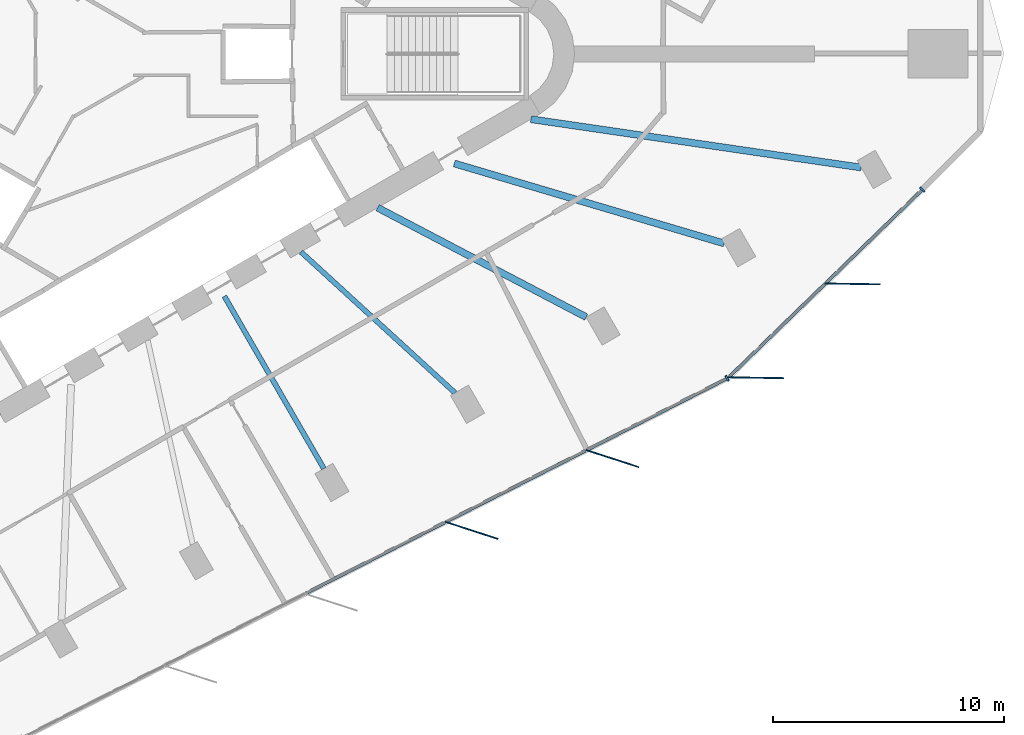
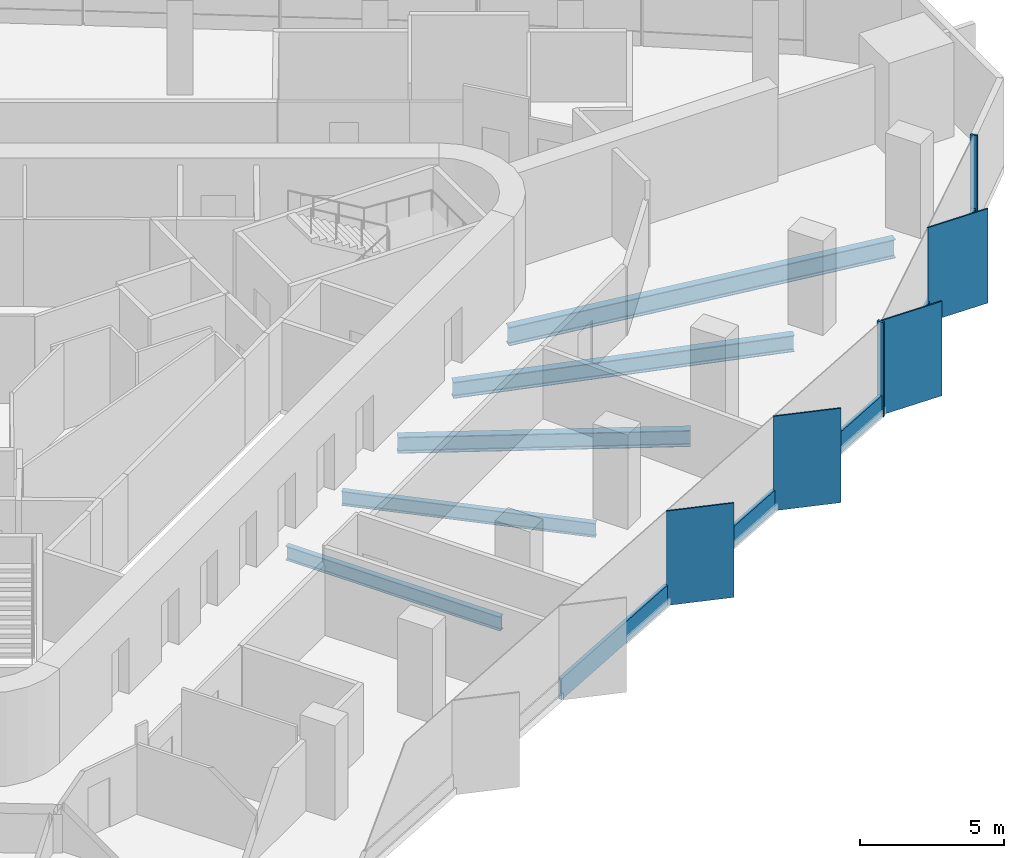
# One storey, part 3 of 14: 11 members, 5 beams, 2 elements without a shape of their own.
"""IFC4 building model written with IfcOpenShell, lengths in metres."""

from ifc_helpers import new_model, si_unit, direction, frame, origin, origin_2d, place, context, subcontext, project, spatial, rectangle, i_section, extrude, material, material_profile, profile_set, type_object, element, aggregate, save


model = new_model("IFC4")

# Units and contexts
model_context = context("Model", 3, precision=1e-05, world=origin(), true_north=direction((0.0, 1.0)))
body_context = subcontext(model_context, "Body", "Model", "MODEL_VIEW")
ifc_project = project(units=[si_unit("LENGTHUNIT", "METRE"), si_unit("AREAUNIT", "SQUARE_METRE"), si_unit("VOLUMEUNIT", "CUBIC_METRE"), si_unit("PLANEANGLEUNIT", "RADIAN"), si_unit("MASSUNIT", "GRAM", prefix="KILO")], contexts=[model_context])

# Site, building, storey
site_placement = place(None, origin())
site = spatial("IfcSite", under=ifc_project, at=site_placement, CompositionType="ELEMENT")
building_placement = place(site_placement, origin())
building = spatial("IfcBuilding", under=site, at=building_placement, Name="Tanit Gate Tower", CompositionType="ELEMENT")
storey_placement = place(building_placement, frame((0.0, 0.0, 261.199951171875)))
storey = spatial("IfcBuildingStorey", under=building, at=storey_placement, Name="L59", CompositionType="ELEMENT", Elevation=261.199951171875)

# Curtain wall, members
ifc_material_1 = material(Name="Aluminium bronze anodised and glass", Category="aluminium")
curtain_wall_type = type_object("IfcCurtainWallType", Name="Curtain wall typical mid", PredefinedType="NOTDEFINED", material=ifc_material_1)
curtain_wall_1_placement = place(storey_placement, origin())
curtain_wall_1 = element("IfcCurtainWall", 1, at=curtain_wall_1_placement, inside=storey, type_object=curtain_wall_type, Name="Curtain wall L59 SE2", PredefinedType="NOTDEFINED")
ifc_material_2 = material(Name="Aluminium bronze anodised", Category="aluminium")
ifc_material_profile_1 = material_profile(ifc_material_2, rectangle(XDim=2.39990234375, YDim=0.055908203125, at=origin_2d()), Name="56x2400 bronze fin mullion")
ifc_profile_set_1 = profile_set([ifc_material_profile_1], Name="Aluminium bronze anodised")
member_type_1 = type_object("IfcMemberType", Name="FIN MULLION 56x2400 bronze", PredefinedType="MULLION", material=ifc_profile_set_1)
member_1_placement = place(storey_placement, frame((16.746337890625, -20.606689453125, -0.300048828125), z_axis=(0.0, 0.0, 1.0), x_axis=(-0.951202192353, 0.308568289465, 0.0)))
member_1 = element("IfcMember", 2, at=member_1_placement, type_object=member_type_1, Name="Fin mullion L59 SE2.4", PredefinedType="MULLION", context=body_context, shape_type="SweptSolid", body=[
    extrude(rectangle(XDim=2.39990234375, YDim=0.055908203125, at=origin_2d()), origin(), (0.0, 0.0, 1.0), 4.0),
])
member_2_placement = place(storey_placement, frame((22.83251953125, -17.501953125, -0.300048828125), z_axis=(0.0, 0.0, 1.0), x_axis=(-0.951202192353, 0.308568289465, 0.0)))
member_2 = element("IfcMember", 3, at=member_2_placement, type_object=member_type_1, Name="Fin mullion L59 SE2.5", PredefinedType="MULLION", context=body_context, shape_type="SweptSolid", body=[
    extrude(rectangle(XDim=2.39990234375, YDim=0.055908203125, at=origin_2d()), origin(), (0.0, 0.0, 1.0), 4.0),
])

curtain_wall_2_placement = place(storey_placement, origin())
curtain_wall_2 = element("IfcCurtainWall", 4, at=curtain_wall_2_placement, inside=storey, type_object=curtain_wall_type, Name="Curtain wall L59 SE3", PredefinedType="NOTDEFINED")
member_3_placement = place(storey_placement, frame((29.040771484375, -14.005615234375, -0.300048828125), z_axis=(0.0, 0.0, 1.0), x_axis=(-0.999880119672, 0.015483742592, 0.0)))
member_3 = element("IfcMember", 5, at=member_3_placement, type_object=member_type_1, Name="Fin mullion L59 SE3.1", PredefinedType="MULLION", context=body_context, shape_type="SweptSolid", body=[
    extrude(rectangle(XDim=2.39990234375, YDim=0.055908203125, at=origin_2d()), origin(), (0.0, 0.0, 1.0), 4.0),
])
member_4_placement = place(storey_placement, frame((33.22705078125, -9.947021484375, -0.300048828125), z_axis=(0.0, 0.0, 1.0), x_axis=(-0.999880119672, 0.015483742592, 0.0)))
member_4 = element("IfcMember", 6, at=member_4_placement, type_object=member_type_1, Name="Fin mullion L59 SE3.2", PredefinedType="MULLION", context=body_context, shape_type="SweptSolid", body=[
    extrude(rectangle(XDim=2.39990234375, YDim=0.055908203125, at=origin_2d()), origin(), (0.0, 0.0, 1.0), 4.0),
])

# Member
ifc_material_3 = material(Name="Aluminium bronze anodised", Category="aluminium")
ifc_material_profile_2 = material_profile(ifc_material_3, rectangle(XDim=0.260009765625, YDim=0.080078125, at=origin_2d()), Name="80x260 bronze mullion")
ifc_profile_set_2 = profile_set([ifc_material_profile_2], Name="Aluminium bronze anodised")
member_type_2 = type_object("IfcMemberType", Name="Mullion 80x260 typical mid", PredefinedType="MULLION", material=ifc_profile_set_2)
member_5_placement = place(storey_placement, frame((27.797607421875, -14.033447265625, -0.300048828125), z_axis=(0.0, 0.0, 1.0), x_axis=(-0.454410790552, 0.890792250432, 0.0)))
member_5 = element("IfcMember", 7, at=member_5_placement, type_object=member_type_2, Name="Mullion L59 SE2.6", PredefinedType="MULLION", context=body_context, shape_type="SweptSolid", body=[
    extrude(rectangle(XDim=0.260009765625, YDim=0.080078125, at=origin_2d()), origin(), (0.0, 0.0, 1.0), 4.0),
])

member_6_placement = place(storey_placement, frame((36.23486328125, -5.8701171875, -0.300048828125), z_axis=(0.0, 0.0, 1.0), x_axis=(-0.696073353609, 0.717970672378, 0.0)))
member_6 = element("IfcMember", 8, at=member_6_placement, type_object=member_type_2, Name="Mullion L59 SE3.3", PredefinedType="MULLION", context=body_context, shape_type="SweptSolid", body=[
    extrude(rectangle(XDim=0.260009765625, YDim=0.080078125, at=origin_2d()), origin(), (0.0, 0.0, 1.0), 4.0),
])

# Beams
ifc_material_4 = material(Name="Steel S355", Category="steel")
ifc_material_profile_3 = material_profile(ifc_material_4, i_section(OverallWidth=0.300048828125, OverallDepth=0.68994140625, WebThickness=0.014404296875, FlangeThickness=0.027099609375, FilletRadius=0.027099609375, at=origin_2d()), Name="HEA 700")
ifc_profile_set_3 = profile_set([ifc_material_profile_3], Name="Steel S355")
beam_type_1 = type_object("IfcBeamType", Name="RADIAL GIRDER HEA 700 S355", PredefinedType="BEAM", material=ifc_profile_set_3)
beam_1_placement = place(storey_placement, frame((21.697998046875, -11.383544921875, -0.64501953125), z_axis=(-0.885529600193, 0.464582960495, 0.0), x_axis=(-0.464582960495, -0.885529600193, 0.0)))
element("IfcBeam", 9, at=beam_1_placement, inside=storey, type_object=beam_type_1, Name="RADIAL GIRDER", PredefinedType="BEAM", context=body_context, shape_type="SweptSolid", body=[
    extrude(i_section(OverallWidth=0.300048828125, OverallDepth=0.68994140625, WebThickness=0.014404296875, FlangeThickness=0.027099609375, FilletRadius=0.027099609375, at=origin_2d()), origin(), (0.0, 0.0, 1.0), 10.1826171875),
])
beam_2_placement = place(storey_placement, frame((27.66845703125, -8.197021484375, -0.64501953125), z_axis=(-0.958810250553, 0.284047361252, 0.0), x_axis=(-0.284047361252, -0.958810250553, 0.0)))
element("IfcBeam", 10, at=beam_2_placement, inside=storey, type_object=beam_type_1, Name="RADIAL GIRDER", PredefinedType="BEAM", context=body_context, shape_type="SweptSolid", body=[
    extrude(i_section(OverallWidth=0.300048828125, OverallDepth=0.68994140625, WebThickness=0.014404296875, FlangeThickness=0.027099609375, FilletRadius=0.027099609375, at=origin_2d()), origin(), (0.0, 0.0, 1.0), 12.174072265625),
])
ifc_material_5 = material(Name="Steel S355", Category="steel")
ifc_material_profile_4 = material_profile(ifc_material_5, i_section(OverallWidth=0.300048828125, OverallDepth=0.7900390625, WebThickness=0.014892578125, FlangeThickness=0.028076171875, FilletRadius=0.030029296875, at=origin_2d()), Name="HEA 800")
ifc_profile_set_4 = profile_set([ifc_material_profile_4], Name="Steel S355")
beam_type_2 = type_object("IfcBeamType", Name="RADIAL GIRDER HEA 800 S355", PredefinedType="BEAM", material=ifc_profile_set_4)
beam_3_placement = place(storey_placement, frame((33.59130859375, -4.914306640625, -0.695068359375), z_axis=(-0.989468215533, 0.144750303802, 0.0), x_axis=(-0.144750303802, -0.989468215533, 0.0)))
element("IfcBeam", 11, at=beam_3_placement, inside=storey, type_object=beam_type_2, Name="RADIAL GIRDER", PredefinedType="BEAM", context=body_context, shape_type="SweptSolid", body=[
    extrude(i_section(OverallWidth=0.300048828125, OverallDepth=0.7900390625, WebThickness=0.014892578125, FlangeThickness=0.028076171875, FilletRadius=0.030029296875, at=origin_2d()), origin(), (0.0, 0.0, 1.0), 14.4326171875),
])
ifc_material_6 = material(Name="Steel S355", Category="steel")
ifc_material_profile_5 = material_profile(ifc_material_6, i_section(OverallWidth=0.219970703125, OverallDepth=0.60009765625, WebThickness=0.011962890625, FlangeThickness=0.01904296875, FilletRadius=0.02392578125, at=origin_2d()), Name="IPE 600")
ifc_profile_set_5 = profile_set([ifc_material_profile_5], Name="Steel S355")
beam_type_3 = type_object("IfcBeamType", Name="RADIAL GIRDER IPE 600 S355", PredefinedType="BEAM", material=ifc_profile_set_5)
beam_4_placement = place(storey_placement, frame((10.353759765625, -17.93310546875, -0.599853515625), z_axis=(-0.500008150211, 0.866020698207, 0.0), x_axis=(-0.866020698207, -0.500008150211, 0.0)))
element("IfcBeam", 12, at=beam_4_placement, inside=storey, type_object=beam_type_3, Name="RADIAL GIRDER", PredefinedType="BEAM", context=body_context, shape_type="SweptSolid", body=[
    extrude(i_section(OverallWidth=0.219970703125, OverallDepth=0.60009765625, WebThickness=0.011962890625, FlangeThickness=0.01904296875, FilletRadius=0.02392578125, at=origin_2d()), origin(), (0.0, 0.0, 1.0), 8.605224609375),
])
beam_5_placement = place(storey_placement, frame((16.02587890625, -14.658203125, -0.599853515625), z_axis=(-0.737904866166, 0.674904740307, 0.0), x_axis=(-0.674904740307, -0.737904866166, 0.0)))
element("IfcBeam", 13, at=beam_5_placement, inside=storey, type_object=beam_type_3, Name="RADIAL GIRDER", PredefinedType="BEAM", context=body_context, shape_type="SweptSolid", body=[
    extrude(i_section(OverallWidth=0.219970703125, OverallDepth=0.60009765625, WebThickness=0.011962890625, FlangeThickness=0.01904296875, FilletRadius=0.02392578125, at=origin_2d()), origin(), (0.0, 0.0, 1.0), 9.025390625),
])

# Member
ifc_material_7 = material(Name="Aluminium bronze anodised", Category="aluminium")
ifc_material_profile_6 = material_profile(ifc_material_7, rectangle(XDim=0.139892578125, YDim=0.89990234375, at=origin_2d()), Name="140x900 bronze transom")
ifc_profile_set_6 = profile_set([ifc_material_profile_6], Name="Aluminium bronze anodised")
member_type_3 = type_object("IfcMemberType", Name="Transom 140x900 typical mid", PredefinedType="USERDEFINED", material=ifc_profile_set_6)
member_7_placement = place(storey_placement, frame((9.57421875, -23.32958984375, 0.150146484375), z_axis=(0.890782479191, 0.454429944839, 0.0), x_axis=(-0.454429944839, 0.890782479191, 0.0)))
member_7 = element("IfcMember", 14, at=member_7_placement, type_object=member_type_3, Name="Transom L59 SE2.3", ObjectType="TRANSOM", PredefinedType="USERDEFINED", context=body_context, shape_type="SweptSolid", body=[
    extrude(rectangle(XDim=0.139892578125, YDim=0.89990234375, at=origin_2d()), origin(), (0.0, 0.0, 1.0), 6.752685546875),
])

member_8_placement = place(storey_placement, frame((15.66064453125, -20.224853515625, 0.150146484375), z_axis=(0.890782479191, 0.454429944839, 0.0), x_axis=(-0.454429944839, 0.890782479191, 0.0)))
member_8 = element("IfcMember", 15, at=member_8_placement, type_object=member_type_3, Name="Transom L59 SE2.4", ObjectType="TRANSOM", PredefinedType="USERDEFINED", context=body_context, shape_type="SweptSolid", body=[
    extrude(rectangle(XDim=0.139892578125, YDim=0.89990234375, at=origin_2d()), origin(), (0.0, 0.0, 1.0), 6.752685546875),
])

member_9_placement = place(storey_placement, frame((21.7470703125, -17.119873046875, 0.150146484375), z_axis=(0.890789648628, 0.454415890894, 0.0), x_axis=(-0.454415890894, 0.890789648628, 0.0)))
member_9 = element("IfcMember", 16, at=member_9_placement, type_object=member_type_3, Name="Transom L59 SE2.5", ObjectType="TRANSOM", PredefinedType="USERDEFINED", context=body_context, shape_type="SweptSolid", body=[
    extrude(rectangle(XDim=0.139892578125, YDim=0.89990234375, at=origin_2d()), origin(), (0.0, 0.0, 1.0), 6.752197265625),
])

aggregate(curtain_wall_1, [member_1, member_2, member_5, member_7, member_8, member_9])

member_10_placement = place(storey_placement, frame((27.890625, -13.95947265625, 0.150146484375), z_axis=(0.717974969404, 0.696068921378, 0.0), x_axis=(-0.696068921378, 0.717974969404, 0.0)))
member_10 = element("IfcMember", 17, at=member_10_placement, type_object=member_type_3, Name="Transom L59 SE3.1", ObjectType="TRANSOM", PredefinedType="USERDEFINED", context=body_context, shape_type="SweptSolid", body=[
    extrude(rectangle(XDim=0.139892578125, YDim=0.89990234375, at=origin_2d()), origin(), (0.0, 0.0, 1.0), 5.750732421875),
])

member_11_placement = place(storey_placement, frame((32.0771484375, -9.90087890625, 0.150146484375), z_axis=(0.717974969404, 0.696068921378, 0.0), x_axis=(-0.696068921378, 0.717974969404, 0.0)))
member_11 = element("IfcMember", 18, at=member_11_placement, type_object=member_type_3, Name="Transom L59 SE3.2", ObjectType="TRANSOM", PredefinedType="USERDEFINED", context=body_context, shape_type="SweptSolid", body=[
    extrude(rectangle(XDim=0.139892578125, YDim=0.89990234375, at=origin_2d()), origin(), (0.0, 0.0, 1.0), 5.750732421875),
])

aggregate(curtain_wall_2, [member_3, member_4, member_6, member_10, member_11])

save(model, "model.ifc")
